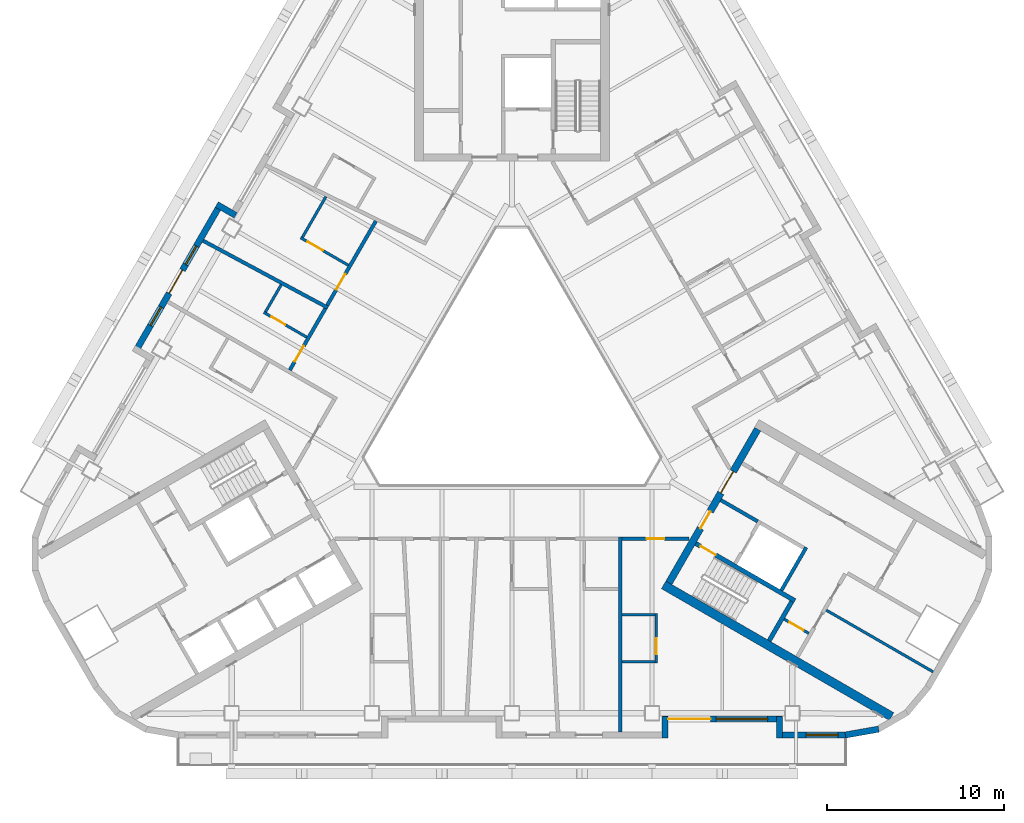
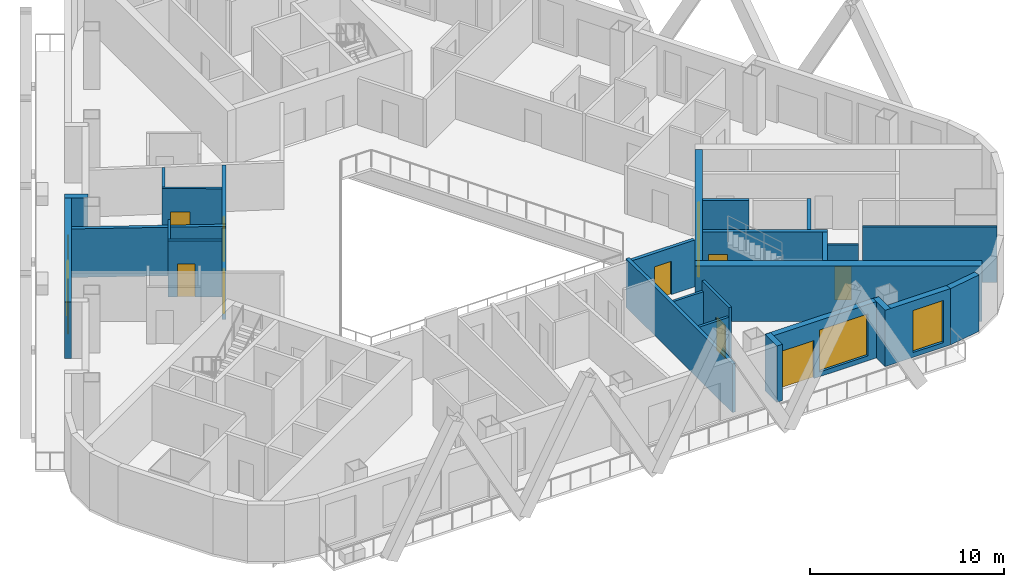
# One storey, part 7 of 17: 27 walls, 12 doors, 4 windows, 16 openings.
"""IFC4 building model written with IfcOpenShell, lengths in metres."""

from ifc_helpers import new_model, si_unit, direction, frame, frame_2d, origin, place, context, subcontext, project, spatial, rectangle, extrude, material, layer, layer_set, type_object, element, fill, save


model = new_model("IFC4")

# Units and contexts
model_context = context("Model", 3, precision=1e-05, world=origin(), true_north=direction((0.0, 1.0)))
body_context = subcontext(model_context, "Body", "Model", "MODEL_VIEW")
ifc_project = project(units=[si_unit("LENGTHUNIT", "METRE"), si_unit("AREAUNIT", "SQUARE_METRE"), si_unit("VOLUMEUNIT", "CUBIC_METRE"), si_unit("PLANEANGLEUNIT", "RADIAN"), si_unit("MASSUNIT", "GRAM", prefix="KILO")], contexts=[model_context])

# Site, building, storey
site_placement = place(None, origin())
site = spatial("IfcSite", under=ifc_project, at=site_placement, CompositionType="ELEMENT")
building_placement = place(site_placement, origin())
building = spatial("IfcBuilding", under=site, at=building_placement, Name="Apuvela Tower Hotel", CompositionType="ELEMENT")
storey_placement = place(building_placement, frame((0.0, 0.0, 146.60009765625)))
storey = spatial("IfcBuildingStorey", under=building, at=storey_placement, Name="L34", CompositionType="ELEMENT", Elevation=146.60009765625)

# Wall, openings, doors
ifc_material_1 = material(Name="Concrete C50/60", Category="concrete")
ifc_layer_1 = layer(ifc_material_1, 0.39990234375)
ifc_layer_set_1 = layer_set([ifc_layer_1], Name="COR-WALL-CORE-400")
wall_type_1 = type_object("IfcWallType", Name="COR-WALL-CORE-400", PredefinedType="SHEAR", material=ifc_layer_set_1)
wall_1_placement = place(storey_placement, frame((8.844970703125, -10.880126953125, 0.0), z_axis=(0.0, 0.0, 1.0), x_axis=(0.500004234368, 0.866022959057, 0.0)))
wall_1 = element("IfcWall", 1, at=wall_1_placement, inside=storey, type_object=wall_type_1, Name="Core wall SE", PredefinedType="SHEAR", context=body_context, shape_type="SweptSolid", body=[
    extrude(rectangle(XDim=10.0, YDim=0.39990234375, at=frame_2d((5.0, 0.0))), origin(), (0.0, 0.0, 1.0), 3.5),
])
opening_1_placement = place(wall_1_placement, frame((3.550048828125, 0.0, 0.0)))
opening_1 = element("IfcOpeningElement", 2, at=opening_1_placement, cuts=wall_1, Name="Opening E-FD", PredefinedType="OPENING", context=body_context, shape_type="SweptSolid", body=[
    extrude(rectangle(XDim=1.10009765625, YDim=2.10009765625, at=frame_2d((0.550048828125, 1.050048828125))), frame((0.0, 0.2099609375, 0.0), z_axis=(0.0, -1.0, 0.0), x_axis=(1.0, 0.0, 0.0)), (0.0, 0.0, 1.0), 0.419921875),
])
opening_2_placement = place(wall_1_placement, frame((5.85009765625, 0.0, 0.0)))
opening_2 = element("IfcOpeningElement", 3, at=opening_2_placement, cuts=wall_1, Name="Opening E-GD", PredefinedType="OPENING", context=body_context, shape_type="SweptSolid", body=[
    extrude(rectangle(XDim=1.39990234375, YDim=2.10009765625, at=frame_2d((0.699951171875, 1.050048828125))), frame((0.0, 0.2099609375, 0.0), z_axis=(0.0, -1.0, 0.0), x_axis=(1.0, 0.0, 0.0)), (0.0, 0.0, 1.0), 0.419921875),
])
ifc_material_2 = material(Name="Steel fire door, powder coated", Category="steel")
door_type_1 = type_object("IfcDoorType", Name="COR-FD-1100", OperationType="NOTDEFINED", PredefinedType="DOOR", material=ifc_material_2)
door_1_placement = place(opening_1_placement, frame((1.10009765625, 0.0, 0.0), z_axis=(0.0, 0.0, 1.0), x_axis=(-1.0, 0.0, 0.0)))
door_1 = element("IfcDoor", 4, at=door_1_placement, inside=storey, type_object=door_type_1, Name="Firefighting lobby door E-FD", OperationType="SINGLE_SWING_LEFT", OverallHeight=2.10009765625, OverallWidth=1.10009765625, PredefinedType="DOOR", context=body_context, shape_type="SweptSolid", body=[
    extrude(rectangle(XDim=1.10009765625, YDim=2.10009765625, at=frame_2d((0.550048828125, 1.050048828125))), frame((0.0, 0.02490234375, 0.0), z_axis=(0.0, -1.0, 0.0), x_axis=(1.0, 0.0, 0.0)), (0.0, 0.0, 1.0), 0.050048828125),
])
fill(opening_1, door_1)
ifc_material_3 = material(Name="Glazed steel fire door", Category="steel")
door_type_2 = type_object("IfcDoorType", Name="COR-GD-1400", OperationType="DOUBLE_DOOR_SINGLE_SWING", PredefinedType="DOOR", material=ifc_material_3)
door_2_placement = place(opening_2_placement, frame((1.39990234375, 0.0, 0.0), z_axis=(0.0, 0.0, 1.0), x_axis=(-1.0, 0.0, 0.0)))
door_2 = element("IfcDoor", 5, at=door_2_placement, inside=storey, type_object=door_type_2, Name="Lift lobby door E-GD", OperationType="DOUBLE_DOOR_SINGLE_SWING", OverallHeight=2.10009765625, OverallWidth=1.39990234375, PredefinedType="DOOR", context=body_context, shape_type="SweptSolid", body=[
    extrude(rectangle(XDim=1.39990234375, YDim=2.10009765625, at=frame_2d((0.699951171875, 1.050048828125))), frame((0.0, 0.02490234375, 0.0), z_axis=(0.0, -1.0, 0.0), x_axis=(1.0, 0.0, 0.0)), (0.0, 0.0, 1.0), 0.050048828125),
])
fill(opening_2, door_2)

# Wall
ifc_layer_2 = layer(ifc_material_1, 0.5)
ifc_layer_set_2 = layer_set([ifc_layer_2], Name="COR-WALL-CORE-500")
wall_type_2 = type_object("IfcWallType", Name="COR-WALL-CORE-500", PredefinedType="SHEAR", material=ifc_layer_set_2)
wall_2_placement = place(storey_placement, frame((8.546630859375, -10.99658203125, 0.0), z_axis=(0.0, 0.0, 1.0), x_axis=(0.866025009528, -0.500000682871, 0.0)))
element("IfcWall", 6, at=wall_2_placement, inside=storey, type_object=wall_type_2, Name="Core wall SE", PredefinedType="SHEAR", context=body_context, shape_type="SweptSolid", body=[
    extrude(rectangle(XDim=14.8369140625, YDim=0.5, at=frame_2d((7.41845703125, 0.0))), origin(), (0.0, 0.0, 1.0), 3.5),
])

# Wall, opening, door
ifc_material_4 = material(Name="Blockwork 150 mm plastered", Category="masonry")
ifc_layer_3 = layer(ifc_material_4, 0.14990234375)
ifc_layer_set_3 = layer_set([ifc_layer_3], Name="COR-WALL-PART-150")
wall_type_3 = type_object("IfcWallType", Name="COR-WALL-PART-150", PredefinedType="PARTITIONING", material=ifc_layer_set_3)
wall_3_placement = place(storey_placement, frame((15.341552734375, -12.927734375, 0.0), z_axis=(0.0, 0.0, 1.0), x_axis=(0.865989903783, -0.500061482766, 0.0)))
wall_3 = element("IfcWall", 7, at=wall_3_placement, inside=storey, type_object=wall_type_3, Name="Partition SE", PredefinedType="PARTITIONING", context=body_context, shape_type="SweptSolid", body=[
    extrude(rectangle(XDim=1.599853515625, YDim=0.14990234375, at=frame_2d((0.7998046875, 0.0))), origin(), (0.0, 0.0, 1.0), 3.5),
])
opening_3_placement = place(wall_3_placement, frame((0.35009765625, 0.0, 0.0)))
opening_3 = element("IfcOpeningElement", 8, at=opening_3_placement, cuts=wall_3, Name="Opening E-RD", PredefinedType="OPENING", context=body_context, shape_type="SweptSolid", body=[
    extrude(rectangle(XDim=0.89990234375, YDim=2.10009765625, at=frame_2d((0.449951171875, 1.050048828125))), frame((0.0, 0.0849609375, 0.0), z_axis=(0.0, -1.0, 0.0), x_axis=(1.0, 0.0, 0.0)), (0.0, 0.0, 1.0), 0.169921875),
])
ifc_material_5 = material(Name="Steel access door, powder coated", Category="steel")
door_type_3 = type_object("IfcDoorType", Name="COR-RD-900", OperationType="NOTDEFINED", PredefinedType="DOOR", material=ifc_material_5)
door_3_placement = place(opening_3_placement, frame((0.89990234375, 0.0, 0.0), z_axis=(0.0, 0.0, 1.0), x_axis=(-1.0, 0.0, 0.0)))
door_3 = element("IfcDoor", 9, at=door_3_placement, inside=storey, type_object=door_type_3, Name="Riser door E-RD", OperationType="SINGLE_SWING_LEFT", OverallHeight=2.10009765625, OverallWidth=0.89990234375, PredefinedType="DOOR", context=body_context, shape_type="SweptSolid", body=[
    extrude(rectangle(XDim=0.89990234375, YDim=2.10009765625, at=frame_2d((0.449951171875, 1.050048828125))), frame((0.0, 0.02490234375, 0.0), z_axis=(0.0, -1.0, 0.0), x_axis=(1.0, 0.0, 0.0)), (0.0, 0.0, 1.0), 0.050048828125),
])
fill(opening_3, door_3)

# Walls
wall_4_placement = place(storey_placement, frame((17.712890625, -12.42041015625, 0.0), z_axis=(0.0, 0.0, 1.0), x_axis=(0.866016523273, -0.500015381182, 0.0)))
element("IfcWall", 10, at=wall_4_placement, inside=storey, type_object=wall_type_3, Name="Partition SE", PredefinedType="PARTITIONING", context=body_context, shape_type="SweptSolid", body=[
    extrude(rectangle(XDim=6.949951171875, YDim=0.14990234375, at=frame_2d((3.47509765625, 0.0))), origin(), (0.0, 0.0, 1.0), 3.5),
])
ifc_layer_4 = layer(ifc_material_1, 0.199951171875)
ifc_layer_set_4 = layer_set([ifc_layer_4], Name="COR-WALL-SHAFT-200")
wall_type_4 = type_object("IfcWallType", Name="COR-WALL-SHAFT-200", PredefinedType="SHEAR", material=ifc_layer_set_4)
wall_5_placement = place(storey_placement, frame((15.181396484375, -11.305419921875, 0.0), z_axis=(0.0, 0.0, 1.0), x_axis=(0.49994636267, 0.866056369097, 0.0)))
element("IfcWall", 11, at=wall_5_placement, inside=storey, type_object=wall_type_4, Name="Shaft wall SE", PredefinedType="SHEAR", context=body_context, shape_type="SweptSolid", body=[
    extrude(rectangle(XDim=2.800048828125, YDim=0.199951171875, at=frame_2d((1.39990234375, 0.0))), origin(), (0.0, 0.0, 1.0), 3.5),
])
wall_6_placement = place(storey_placement, frame((11.76806640625, -6.217041015625, 0.0), z_axis=(0.0, 0.0, 1.0), x_axis=(0.866050077142, -0.499957262057, 0.0)))
element("IfcWall", 12, at=wall_6_placement, inside=storey, type_object=wall_type_4, Name="Shaft wall SE", PredefinedType="SHEAR", context=body_context, shape_type="SweptSolid", body=[
    extrude(rectangle(XDim=2.400146484375, YDim=0.199951171875, at=frame_2d((1.2001953125, 0.0))), origin(), (0.0, 0.0, 1.0), 3.5),
])

# Wall, opening, door
ifc_layer_5 = layer(ifc_material_1, 0.25)
ifc_layer_set_5 = layer_set([ifc_layer_5], Name="COR-WALL-STAIR-250")
wall_type_5 = type_object("IfcWallType", Name="COR-WALL-STAIR-250", PredefinedType="SHEAR", material=ifc_layer_set_5)
wall_7_placement = place(storey_placement, frame((10.355712890625, -8.66357421875, 0.0), z_axis=(0.0, 0.0, 1.0), x_axis=(0.866028629588, -0.499994412703, 0.0)))
wall_7 = element("IfcWall", 13, at=wall_7_placement, inside=storey, type_object=wall_type_5, Name="Stair wall SE", PredefinedType="SHEAR", context=body_context, shape_type="SweptSolid", body=[
    extrude(rectangle(XDim=6.44970703125, YDim=0.25, at=frame_2d((3.224853515625, 0.0))), origin(), (0.0, 0.0, 1.0), 3.5),
])
opening_4_placement = place(wall_7_placement, frame((0.300048828125, 0.0, 0.0)))
opening_4 = element("IfcOpeningElement", 14, at=opening_4_placement, cuts=wall_7, Name="Opening E-SD", PredefinedType="OPENING", context=body_context, shape_type="SweptSolid", body=[
    extrude(rectangle(XDim=1.0, YDim=2.10009765625, at=frame_2d((0.5, 1.050048828125))), frame((0.0, 0.135009765625, 0.0), z_axis=(0.0, -1.0, 0.0), x_axis=(1.0, 0.0, 0.0)), (0.0, 0.0, 1.0), 0.27001953125),
])
door_type_4 = type_object("IfcDoorType", Name="COR-SD-1000", OperationType="NOTDEFINED", PredefinedType="DOOR", material=ifc_material_2)
door_4_placement = place(opening_4_placement, frame((1.0, 0.0, 0.0), z_axis=(0.0, 0.0, 1.0), x_axis=(-1.0, 0.0, 0.0)))
door_4 = element("IfcDoor", 15, at=door_4_placement, inside=storey, type_object=door_type_4, Name="Stair door E-SD", OperationType="SINGLE_SWING_LEFT", OverallHeight=2.10009765625, OverallWidth=1.0, PredefinedType="DOOR", context=body_context, shape_type="SweptSolid", body=[
    extrude(rectangle(XDim=1.0, YDim=2.10009765625, at=frame_2d((0.5, 1.050048828125))), frame((0.0, 0.02490234375, 0.0), z_axis=(0.0, -1.0, 0.0), x_axis=(1.0, 0.0, 0.0)), (0.0, 0.0, 1.0), 0.050048828125),
])
fill(opening_4, door_4)

# Walls
wall_8_placement = place(storey_placement, frame((14.49560546875, -14.142578125, 0.0), z_axis=(0.0, 0.0, 1.0), x_axis=(0.500062241894, 0.865989465428, 0.0)))
element("IfcWall", 16, at=wall_8_placement, inside=storey, type_object=wall_type_5, Name="Stair wall SE", PredefinedType="SHEAR", context=body_context, shape_type="SweptSolid", body=[
    extrude(rectangle(XDim=2.550048828125, YDim=0.25, at=frame_2d((1.27490234375, 0.0))), origin(), (0.0, 0.0, 1.0), 3.5),
])
ifc_material_6 = material(Name="Concrete C40/50, dark pigmented precast panel", Category="concrete")
ifc_layer_6 = layer(ifc_material_6, 0.35009765625)
ifc_layer_set_6 = layer_set([ifc_layer_6], Name="ENV-WALL-350")
wall_type_6 = type_object("IfcWallType", Name="ENV-WALL-350", PredefinedType="SOLIDWALL", material=ifc_layer_set_6)
wall_9_placement = place(storey_placement, frame((-15.580810546875, 9.8330078125, 0.0), z_axis=(0.0, 0.0, 1.0), x_axis=(-0.866055662726, 0.499947586314, 0.0)))
element("IfcWall", 17, at=wall_9_placement, inside=storey, type_object=wall_type_6, Name="External wall L34-04", PredefinedType="SOLIDWALL", context=body_context, shape_type="SweptSolid", body=[
    extrude(rectangle(XDim=1.220458984375, YDim=0.35009765625, at=frame_2d((0.6103515625, 0.0))), origin(), (0.0, 0.0, 1.0), 3.5498046875),
])

# Wall, openings, door, windows
wall_10_placement = place(storey_placement, frame((-16.3984375, 10.507080078125, 0.0), z_axis=(0.0, 0.0, 1.0), x_axis=(-0.499999142773, -0.866025898704, 0.0)))
wall_10 = element("IfcWall", 18, at=wall_10_placement, inside=storey, type_object=wall_type_6, Name="External wall L34-05", PredefinedType="SOLIDWALL", context=body_context, shape_type="SweptSolid", body=[
    extrude(rectangle(XDim=9.7001953125, YDim=0.35009765625, at=frame_2d((4.85009765625, 0.0))), origin(), (0.0, 0.0, 1.0), 3.5498046875),
])
opening_5_placement = place(wall_10_placement, frame((4.35009765625, 0.0, 0.0)))
opening_5 = element("IfcOpeningElement", 19, at=opening_5_placement, cuts=wall_10, Name="Opening BD15", PredefinedType="OPENING", context=body_context, shape_type="SweptSolid", body=[
    extrude(rectangle(XDim=1.5, YDim=2.39990234375, at=frame_2d((0.75, 1.199951171875))), frame((0.0, 0.18505859375, 0.0), z_axis=(0.0, -1.0, 0.0), x_axis=(1.0, 0.0, 0.0)), (0.0, 0.0, 1.0), 0.3701171875),
])
opening_6_placement = place(wall_10_placement, frame((2.77978515625, 0.0, 0.300048828125)))
opening_6 = element("IfcOpeningElement", 20, at=opening_6_placement, cuts=wall_10, Name="Opening WN12", PredefinedType="OPENING", context=body_context, shape_type="SweptSolid", body=[
    extrude(rectangle(XDim=1.199951171875, YDim=2.64990234375, at=frame_2d((0.60009765625, 1.324951171875))), frame((0.0, 0.18505859375, 0.0), z_axis=(0.0, -1.0, 0.0), x_axis=(1.0, 0.0, 0.0)), (0.0, 0.0, 1.0), 0.3701171875),
])
opening_7_placement = place(wall_10_placement, frame((6.750244140625, 0.0, 0.300048828125)))
opening_7 = element("IfcOpeningElement", 21, at=opening_7_placement, cuts=wall_10, Name="Opening WN12", PredefinedType="OPENING", context=body_context, shape_type="SweptSolid", body=[
    extrude(rectangle(XDim=1.199951171875, YDim=2.64990234375, at=frame_2d((0.60009765625, 1.324951171875))), frame((0.0, 0.18505859375, 0.0), z_axis=(0.0, -1.0, 0.0), x_axis=(1.0, 0.0, 0.0)), (0.0, 0.0, 1.0), 0.3701171875),
])
ifc_material_7 = material(Name="Aluminium 6063-T6, dark bronze anodised frame with dark tinted laminated glass", Category="aluminium")
door_type_5 = type_object("IfcDoorType", Name="ENV-DOOR-BALCONY-1500x2400", OperationType="SLIDING_TO_LEFT", PredefinedType="DOOR", material=ifc_material_7)
door_5_placement = place(opening_5_placement, frame((1.5, 0.0, 0.0), z_axis=(0.0, 0.0, 1.0), x_axis=(-1.0, 0.0, 0.0)))
door_5 = element("IfcDoor", 22, at=door_5_placement, inside=storey, type_object=door_type_5, Name="Balcony door BD15", OperationType="SLIDING_TO_LEFT", OverallHeight=2.39990234375, OverallWidth=1.5, PredefinedType="DOOR", context=body_context, shape_type="SweptSolid", body=[
    extrude(rectangle(XDim=1.5, YDim=2.39990234375, at=frame_2d((0.75, 1.199951171875))), frame((0.0, 0.02490234375, 0.0), z_axis=(0.0, -1.0, 0.0), x_axis=(1.0, 0.0, 0.0)), (0.0, 0.0, 1.0), 0.050048828125),
])
fill(opening_5, door_5)
ifc_material_8 = material(Name="Glass, dark tinted laminated insulated glazing unit", Category="glass")
window_type_1 = type_object("IfcWindowType", Name="ENV-WIN-1200x2650", PartitioningType="SINGLE_PANEL", PredefinedType="WINDOW", material=ifc_material_8)
window_1_placement = place(opening_6_placement, origin())
window_1 = element("IfcWindow", 23, at=window_1_placement, inside=storey, type_object=window_type_1, Name="Window WN12", OverallHeight=2.64990234375, OverallWidth=1.199951171875, PartitioningType="SINGLE_PANEL", PredefinedType="WINDOW", context=body_context, shape_type="SweptSolid", body=[
    extrude(rectangle(XDim=1.199951171875, YDim=2.64990234375, at=frame_2d((0.60009765625, 1.324951171875))), frame((0.0, 0.030029296875, 0.0), z_axis=(0.0, -1.0, 0.0), x_axis=(1.0, 0.0, 0.0)), (0.0, 0.0, 1.0), 0.06005859375),
])
fill(opening_6, window_1)
window_2_placement = place(opening_7_placement, origin())
window_2 = element("IfcWindow", 24, at=window_2_placement, inside=storey, type_object=window_type_1, Name="Window WN12", OverallHeight=2.64990234375, OverallWidth=1.199951171875, PartitioningType="SINGLE_PANEL", PredefinedType="WINDOW", context=body_context, shape_type="SweptSolid", body=[
    extrude(rectangle(XDim=1.199951171875, YDim=2.64990234375, at=frame_2d((0.60009765625, 1.324951171875))), frame((0.0, 0.030029296875, 0.0), z_axis=(0.0, -1.0, 0.0), x_axis=(1.0, 0.0, 0.0)), (0.0, 0.0, 1.0), 0.06005859375),
])
fill(opening_7, window_2)

# Wall
wall_11_placement = place(storey_placement, frame((8.625, -19.6298828125, 0.0), z_axis=(0.0, 0.0, 1.0), x_axis=(0.0, 1.0, 0.0)))
element("IfcWall", 25, at=wall_11_placement, inside=storey, type_object=wall_type_6, Name="External wall L34-22", PredefinedType="SOLIDWALL", context=body_context, shape_type="SweptSolid", body=[
    extrude(rectangle(XDim=1.219970703125, YDim=0.35009765625, at=frame_2d((0.60986328125, 0.0))), origin(), (0.0, 0.0, 1.0), 3.5498046875),
])

# Wall, openings, door, window
wall_12_placement = place(storey_placement, frame((8.47998046875, -18.554931640625, 0.0), z_axis=(0.0, 0.0, 1.0), x_axis=(1.0, 0.0, 0.0)))
wall_12 = element("IfcWall", 26, at=wall_12_placement, inside=storey, type_object=wall_type_6, Name="External wall L34-23", PredefinedType="SOLIDWALL", context=body_context, shape_type="SweptSolid", body=[
    extrude(rectangle(XDim=6.739990234375, YDim=0.35009765625, at=frame_2d((3.3701171875, 0.0))), origin(), (0.0, 0.0, 1.0), 3.5498046875),
])
opening_8_placement = place(wall_12_placement, frame((0.3203125, 0.0, 0.0)))
opening_8 = element("IfcOpeningElement", 27, at=opening_8_placement, cuts=wall_12, Name="Opening BD24", PredefinedType="OPENING", context=body_context, shape_type="SweptSolid", body=[
    extrude(rectangle(XDim=2.39990234375, YDim=2.39990234375, at=frame_2d((1.199951171875, 1.199951171875))), frame((0.0, 0.18505859375, 0.0), z_axis=(0.0, -1.0, 0.0), x_axis=(1.0, 0.0, 0.0)), (0.0, 0.0, 1.0), 0.3701171875),
])
opening_9_placement = place(wall_12_placement, frame((3.020263671875, 0.0, 0.300048828125)))
opening_9 = element("IfcOpeningElement", 28, at=opening_9_placement, cuts=wall_12, Name="Opening WN29", PredefinedType="OPENING", context=body_context, shape_type="SweptSolid", body=[
    extrude(rectangle(XDim=2.89990234375, YDim=2.64990234375, at=frame_2d((1.449951171875, 1.324951171875))), frame((0.0, 0.18505859375, 0.0), z_axis=(0.0, -1.0, 0.0), x_axis=(1.0, 0.0, 0.0)), (0.0, 0.0, 1.0), 0.3701171875),
])
door_type_6 = type_object("IfcDoorType", Name="ENV-DOOR-BALCONY-2400x2400", OperationType="SLIDING_TO_LEFT", PredefinedType="DOOR", material=ifc_material_7)
door_6_placement = place(opening_8_placement, frame((2.39990234375, 0.0, 0.0), z_axis=(0.0, 0.0, 1.0), x_axis=(-1.0, 0.0, 0.0)))
door_6 = element("IfcDoor", 29, at=door_6_placement, inside=storey, type_object=door_type_6, Name="Balcony door BD24", OperationType="SLIDING_TO_LEFT", OverallHeight=2.39990234375, OverallWidth=2.39990234375, PredefinedType="DOOR", context=body_context, shape_type="SweptSolid", body=[
    extrude(rectangle(XDim=2.39990234375, YDim=2.39990234375, at=frame_2d((1.199951171875, 1.199951171875))), frame((0.0, 0.02490234375, 0.0), z_axis=(0.0, -1.0, 0.0), x_axis=(1.0, 0.0, 0.0)), (0.0, 0.0, 1.0), 0.050048828125),
])
fill(opening_8, door_6)
window_type_2 = type_object("IfcWindowType", Name="ENV-WIN-2900x2650", PartitioningType="SINGLE_PANEL", PredefinedType="WINDOW", material=ifc_material_8)
window_3_placement = place(opening_9_placement, origin())
window_3 = element("IfcWindow", 30, at=window_3_placement, inside=storey, type_object=window_type_2, Name="Window WN29", OverallHeight=2.64990234375, OverallWidth=2.89990234375, PartitioningType="SINGLE_PANEL", PredefinedType="WINDOW", context=body_context, shape_type="SweptSolid", body=[
    extrude(rectangle(XDim=2.89990234375, YDim=2.64990234375, at=frame_2d((1.449951171875, 1.324951171875))), frame((0.0, 0.030029296875, 0.0), z_axis=(0.0, -1.0, 0.0), x_axis=(1.0, 0.0, 0.0)), (0.0, 0.0, 1.0), 0.06005859375),
])
fill(opening_9, window_3)

# Wall
wall_13_placement = place(storey_placement, frame((15.074951171875, -18.409912109375, 0.0), z_axis=(0.0, 0.0, 1.0), x_axis=(0.0, -1.0, 0.0)))
element("IfcWall", 31, at=wall_13_placement, inside=storey, type_object=wall_type_6, Name="External wall L34-24", PredefinedType="SOLIDWALL", context=body_context, shape_type="SweptSolid", body=[
    extrude(rectangle(XDim=1.219970703125, YDim=0.35009765625, at=frame_2d((0.60986328125, 0.0))), origin(), (0.0, 0.0, 1.0), 3.5498046875),
])

# Wall, opening, window
wall_14_placement = place(storey_placement, frame((14.89990234375, -19.455078125, 0.0), z_axis=(0.0, 0.0, 1.0), x_axis=(1.0, 0.0, 0.0)))
wall_14 = element("IfcWall", 32, at=wall_14_placement, inside=storey, type_object=wall_type_6, Name="External wall L34-25", PredefinedType="SOLIDWALL", context=body_context, shape_type="SweptSolid", body=[
    extrude(rectangle(XDim=3.916015625, YDim=0.35009765625, at=frame_2d((1.9580078125, 0.0))), origin(), (0.0, 0.0, 1.0), 3.5498046875),
])
opening_10_placement = place(wall_14_placement, frame((1.674560546875, 0.0, 0.300048828125)))
opening_10 = element("IfcOpeningElement", 33, at=opening_10_placement, cuts=wall_14, Name="Opening WN18", PredefinedType="OPENING", context=body_context, shape_type="SweptSolid", body=[
    extrude(rectangle(XDim=1.800048828125, YDim=2.64990234375, at=frame_2d((0.89990234375, 1.324951171875))), frame((0.0, 0.18505859375, 0.0), z_axis=(0.0, -1.0, 0.0), x_axis=(1.0, 0.0, 0.0)), (0.0, 0.0, 1.0), 0.3701171875),
])
window_type_3 = type_object("IfcWindowType", Name="ENV-WIN-1800x2650", PartitioningType="SINGLE_PANEL", PredefinedType="WINDOW", material=ifc_material_8)
window_4_placement = place(opening_10_placement, origin())
window_4 = element("IfcWindow", 34, at=window_4_placement, inside=storey, type_object=window_type_3, Name="Window WN18", OverallHeight=2.64990234375, OverallWidth=1.800048828125, PartitioningType="SINGLE_PANEL", PredefinedType="WINDOW", context=body_context, shape_type="SweptSolid", body=[
    extrude(rectangle(XDim=1.800048828125, YDim=2.64990234375, at=frame_2d((0.89990234375, 1.324951171875))), frame((0.0, 0.030029296875, 0.0), z_axis=(0.0, -1.0, 0.0), x_axis=(1.0, 0.0, 0.0)), (0.0, 0.0, 1.0), 0.06005859375),
])
fill(opening_10, window_4)

# Walls
wall_15_placement = place(storey_placement, frame((18.785400390625, -19.457763671875, 0.0), z_axis=(0.0, 0.0, 1.0), x_axis=(0.984798995425, 0.173697837091, 0.0)))
element("IfcWall", 35, at=wall_15_placement, inside=storey, type_object=wall_type_6, Name="External wall L34-26", PredefinedType="SOLIDWALL", context=body_context, shape_type="SweptSolid", body=[
    extrude(rectangle(XDim=1.91015625, YDim=0.35009765625, at=frame_2d((0.955078125, 0.0))), origin(), (0.0, 0.0, 1.0), 3.5498046875),
])
ifc_material_9 = material(Name="Gypsum board partition on twin steel stud", Category="steel")
ifc_layer_7 = layer(ifc_material_9, 0.199951171875)
ifc_layer_set_7 = layer_set([ifc_layer_7], Name="GST-PW1")
wall_type_7 = type_object("IfcWallType", Name="GST-PW1", PredefinedType="PARTITIONING", material=ifc_layer_set_7)
wall_16_placement = place(storey_placement, frame((6.10009765625, -19.280029296875, 0.0), z_axis=(0.0, 0.0, 1.0), x_axis=(0.0, 1.0, 0.0)))
element("IfcWall", 36, at=wall_16_placement, inside=storey, type_object=wall_type_7, Name="L34 partition 04", PredefinedType="PARTITIONING", context=body_context, shape_type="SweptSolid", body=[
    extrude(rectangle(XDim=10.97998046875, YDim=0.199951171875, at=frame_2d((5.489990234375, 0.0))), origin(), (0.0, 0.0, 1.0), 3.059814453125),
])
wall_17_placement = place(storey_placement, frame((-17.412109375, 8.401611328125, 0.0), z_axis=(0.0, 0.0, 1.0), x_axis=(0.880917469793, -0.473269913912, 0.0)))
element("IfcWall", 37, at=wall_17_placement, inside=storey, type_object=wall_type_7, Name="L34 partition 09", PredefinedType="PARTITIONING", context=body_context, shape_type="SweptSolid", body=[
    extrude(rectangle(XDim=7.98388671875, YDim=0.199951171875, at=frame_2d((3.991943359375, 0.0))), origin(), (0.0, 0.0, 1.0), 3.059814453125),
])

# Wall, opening, door
ifc_material_10 = material(Name="Gypsum board corridor wall on twin steel stud, acoustic", Category="steel")
ifc_layer_8 = layer(ifc_material_10, 0.199951171875)
ifc_layer_set_8 = layer_set([ifc_layer_8], Name="GST-PW2")
wall_type_8 = type_object("IfcWallType", Name="GST-PW2", PredefinedType="PARTITIONING", material=ifc_layer_set_8)
wall_18_placement = place(storey_placement, frame((9.98828125, -8.39990234375, 0.0), z_axis=(0.0, 0.0, 1.0), x_axis=(-1.0, 0.0, 0.0)))
wall_18 = element("IfcWall", 38, at=wall_18_placement, inside=storey, type_object=wall_type_8, Name="L34 partition 24", PredefinedType="PARTITIONING", context=body_context, shape_type="SweptSolid", body=[
    extrude(rectangle(XDim=3.788330078125, YDim=0.199951171875, at=frame_2d((1.89404296875, 0.0))), origin(), (0.0, 0.0, 1.0), 2.949951171875),
])
opening_11_placement = place(wall_18_placement, frame((1.39404296875, 0.0, 0.0)))
opening_11 = element("IfcOpeningElement", 39, at=opening_11_placement, cuts=wall_18, Name="Opening GD12-10", PredefinedType="OPENING", context=body_context, shape_type="SweptSolid", body=[
    extrude(rectangle(XDim=1.0, YDim=2.10009765625, at=frame_2d((0.5, 1.050048828125))), frame((0.0, 0.10986328125, 0.0), z_axis=(0.0, -1.0, 0.0), x_axis=(1.0, 0.0, 0.0)), (0.0, 0.0, 1.0), 0.219970703125),
])
ifc_material_11 = material(Name="Timber door leaf in steel frame", Category="steel")
door_type_7 = type_object("IfcDoorType", Name="GST-D1", OperationType="NOTDEFINED", PredefinedType="DOOR", material=ifc_material_11)
door_7_placement = place(opening_11_placement, origin())
door_7 = element("IfcDoor", 40, at=door_7_placement, inside=storey, type_object=door_type_7, Name="Door L34-10", OperationType="SINGLE_SWING_RIGHT", OverallHeight=2.10009765625, OverallWidth=1.0, PredefinedType="DOOR", context=body_context, shape_type="SweptSolid", body=[
    extrude(rectangle(XDim=1.0, YDim=2.10009765625, at=frame_2d((0.5, 1.050048828125))), frame((0.0, 0.02490234375, 0.0), z_axis=(0.0, -1.0, 0.0), x_axis=(1.0, 0.0, 0.0)), (0.0, 0.0, 1.0), 0.050048828125),
])
fill(opening_11, door_7)

wall_19_placement = place(storey_placement, frame((-10.4169921875, 4.757080078125, 0.0), z_axis=(0.0, 0.0, 1.0), x_axis=(0.50000105825, 0.866024792803, 0.0)))
wall_19 = element("IfcWall", 41, at=wall_19_placement, inside=storey, type_object=wall_type_8, Name="L34 partition 46", PredefinedType="PARTITIONING", context=body_context, shape_type="SweptSolid", body=[
    extrude(rectangle(XDim=5.48681640625, YDim=0.199951171875, at=frame_2d((2.743408203125, 0.0))), origin(), (0.0, 0.0, 1.0), 2.949951171875),
])
opening_12_placement = place(wall_19_placement, frame((1.02978515625, 0.0, 0.0)))
opening_12 = element("IfcOpeningElement", 42, at=opening_12_placement, cuts=wall_19, Name="Opening GD12-22", PredefinedType="OPENING", context=body_context, shape_type="SweptSolid", body=[
    extrude(rectangle(XDim=1.0, YDim=2.10009765625, at=frame_2d((0.5, 1.050048828125))), frame((0.0, 0.10986328125, 0.0), z_axis=(0.0, -1.0, 0.0), x_axis=(1.0, 0.0, 0.0)), (0.0, 0.0, 1.0), 0.219970703125),
])
door_8_placement = place(opening_12_placement, origin())
door_8 = element("IfcDoor", 43, at=door_8_placement, inside=storey, type_object=door_type_7, Name="Door L34-22", OperationType="SINGLE_SWING_LEFT", OverallHeight=2.10009765625, OverallWidth=1.0, PredefinedType="DOOR", context=body_context, shape_type="SweptSolid", body=[
    extrude(rectangle(XDim=1.0, YDim=2.10009765625, at=frame_2d((0.5, 1.050048828125))), frame((0.0, 0.02490234375, 0.0), z_axis=(0.0, -1.0, 0.0), x_axis=(1.0, 0.0, 0.0)), (0.0, 0.0, 1.0), 0.050048828125),
])
fill(opening_12, door_8)

wall_20_placement = place(storey_placement, frame((-12.522705078125, 1.110107421875, 0.0), z_axis=(0.0, 0.0, 1.0), x_axis=(0.500021015799, 0.866013269967, 0.0)))
wall_20 = element("IfcWall", 44, at=wall_20_placement, inside=storey, type_object=wall_type_8, Name="L34 partition 49", PredefinedType="PARTITIONING", context=body_context, shape_type="SweptSolid", body=[
    extrude(rectangle(XDim=4.010986328125, YDim=0.199951171875, at=frame_2d((2.00537109375, 0.0))), origin(), (0.0, 0.0, 1.0), 2.949951171875),
])
opening_13_placement = place(wall_20_placement, frame((0.55810546875, 0.0, 0.0)))
opening_13 = element("IfcOpeningElement", 45, at=opening_13_placement, cuts=wall_20, Name="Opening GD12-24", PredefinedType="OPENING", context=body_context, shape_type="SweptSolid", body=[
    extrude(rectangle(XDim=1.0, YDim=2.10009765625, at=frame_2d((0.5, 1.050048828125))), frame((0.0, 0.10986328125, 0.0), z_axis=(0.0, -1.0, 0.0), x_axis=(1.0, 0.0, 0.0)), (0.0, 0.0, 1.0), 0.219970703125),
])
door_9_placement = place(opening_13_placement, origin())
door_9 = element("IfcDoor", 46, at=door_9_placement, inside=storey, type_object=door_type_7, Name="Door L34-24", OperationType="SINGLE_SWING_LEFT", OverallHeight=2.10009765625, OverallWidth=1.0, PredefinedType="DOOR", context=body_context, shape_type="SweptSolid", body=[
    extrude(rectangle(XDim=1.0, YDim=2.10009765625, at=frame_2d((0.5, 1.050048828125))), frame((0.0, 0.02490234375, 0.0), z_axis=(0.0, -1.0, 0.0), x_axis=(1.0, 0.0, 0.0)), (0.0, 0.0, 1.0), 0.050048828125),
])
fill(opening_13, door_9)

ifc_material_12 = material(Name="Moisture-resistant gypsum board wet wall on steel stud", Category="steel")
ifc_layer_9 = layer(ifc_material_12, 0.14990234375)
ifc_layer_set_9 = layer_set([ifc_layer_9], Name="GST-PW3")
wall_type_9 = type_object("IfcWallType", Name="GST-PW3", PredefinedType="PARTITIONING", material=ifc_layer_set_9)
wall_21_placement = place(storey_placement, frame((8.125, -15.39990234375, 0.0), z_axis=(0.0, 0.0, 1.0), x_axis=(0.0, 1.0, 0.0)))
wall_21 = element("IfcWall", 47, at=wall_21_placement, inside=storey, type_object=wall_type_9, Name="L34 partition 25", PredefinedType="PARTITIONING", context=body_context, shape_type="SweptSolid", body=[
    extrude(rectangle(XDim=2.7998046875, YDim=0.14990234375, at=frame_2d((1.39990234375, 0.0))), origin(), (0.0, 0.0, 1.0), 3.5498046875),
])
opening_14_placement = place(wall_21_placement, frame((0.5, 0.0, 0.0)))
opening_14 = element("IfcOpeningElement", 48, at=opening_14_placement, cuts=wall_21, Name="Opening GD12-09", PredefinedType="OPENING", context=body_context, shape_type="SweptSolid", body=[
    extrude(rectangle(XDim=0.89990234375, YDim=2.10009765625, at=frame_2d((0.449951171875, 1.050048828125))), frame((0.0, 0.0849609375, 0.0), z_axis=(0.0, -1.0, 0.0), x_axis=(1.0, 0.0, 0.0)), (0.0, 0.0, 1.0), 0.169921875),
])
door_type_8 = type_object("IfcDoorType", Name="GST-D2", OperationType="NOTDEFINED", PredefinedType="DOOR", material=ifc_material_11)
door_10_placement = place(opening_14_placement, origin())
door_10 = element("IfcDoor", 49, at=door_10_placement, inside=storey, type_object=door_type_8, Name="Door L34-09", OperationType="SINGLE_SWING_LEFT", OverallHeight=2.10009765625, OverallWidth=0.89990234375, PredefinedType="DOOR", context=body_context, shape_type="SweptSolid", body=[
    extrude(rectangle(XDim=0.89990234375, YDim=2.10009765625, at=frame_2d((0.449951171875, 1.050048828125))), frame((0.0, 0.02490234375, 0.0), z_axis=(0.0, -1.0, 0.0), x_axis=(1.0, 0.0, 0.0)), (0.0, 0.0, 1.0), 0.050048828125),
])
fill(opening_14, door_10)

# Walls
for number, where, z_axis, x_axis, name in (
    (50, (6.199951171875, -15.324951171875, 0.0), (0.0, 0.0, 1.0), (1.0, 0.0, 0.0), "L34 partition 26"),
    (51, (6.199951171875, -12.675048828125, 0.0), (0.0, 0.0, 1.0), (1.0, 0.0, 0.0), "L34 partition 27"),
):
    element("IfcWall", number, at=place(storey_placement, frame(where, z_axis=z_axis, x_axis=x_axis)), inside=storey, type_object=wall_type_9, Name=name, PredefinedType="PARTITIONING", context=body_context, shape_type="SweptSolid", body=[
        extrude(rectangle(XDim=1.85009765625, YDim=0.14990234375, at=frame_2d((0.925048828125, 0.0))), origin(), (0.0, 0.0, 1.0), 2.949951171875),
    ])

# Wall, opening, door
wall_22_placement = place(storey_placement, frame((-11.910888671875, 8.569580078125, 0.0), z_axis=(0.0, 0.0, 1.0), x_axis=(0.86600983753, -0.500026960575, 0.0)))
wall_22 = element("IfcWall", 52, at=wall_22_placement, inside=storey, type_object=wall_type_9, Name="L34 partition 47", PredefinedType="PARTITIONING", context=body_context, shape_type="SweptSolid", body=[
    extrude(rectangle(XDim=3.099853515625, YDim=0.14990234375, at=frame_2d((1.5498046875, 0.0))), origin(), (0.0, 0.0, 1.0), 3.5498046875),
])
opening_15_placement = place(wall_22_placement, frame((0.449951171875, 0.0, 0.0)))
opening_15 = element("IfcOpeningElement", 53, at=opening_15_placement, cuts=wall_22, Name="Opening GD12-21", PredefinedType="OPENING", context=body_context, shape_type="SweptSolid", body=[
    extrude(rectangle(XDim=1.0, YDim=2.10009765625, at=frame_2d((0.5, 1.050048828125))), frame((0.0, 0.0849609375, 0.0), z_axis=(0.0, -1.0, 0.0), x_axis=(1.0, 0.0, 0.0)), (0.0, 0.0, 1.0), 0.169921875),
])
door_11_placement = place(opening_15_placement, origin())
door_11 = element("IfcDoor", 54, at=door_11_placement, inside=storey, type_object=door_type_7, Name="Door L34-21", OperationType="SINGLE_SWING_LEFT", OverallHeight=2.10009765625, OverallWidth=1.0, PredefinedType="DOOR", context=body_context, shape_type="SweptSolid", body=[
    extrude(rectangle(XDim=1.0, YDim=2.10009765625, at=frame_2d((0.5, 1.050048828125))), frame((0.0, 0.02490234375, 0.0), z_axis=(0.0, -1.0, 0.0), x_axis=(1.0, 0.0, 0.0)), (0.0, 0.0, 1.0), 0.050048828125),
])
fill(opening_15, door_11)

# Wall
wall_23_placement = place(storey_placement, frame((-10.48876953125, 10.883056640625, 0.0), z_axis=(0.0, 0.0, 1.0), x_axis=(-0.500018690203, -0.866014612722, 0.0)))
element("IfcWall", 55, at=wall_23_placement, inside=storey, type_object=wall_type_9, Name="L34 partition 48", PredefinedType="PARTITIONING", context=body_context, shape_type="SweptSolid", body=[
    extrude(rectangle(XDim=2.6396484375, YDim=0.14990234375, at=frame_2d((1.31982421875, 0.0))), origin(), (0.0, 0.0, 1.0), 2.949951171875),
])

# Wall, opening, door
wall_24_placement = place(storey_placement, frame((-13.99267578125, 4.364013671875, 0.0), z_axis=(0.0, 0.0, 1.0), x_axis=(0.866056369097, -0.49994636267, 0.0)))
wall_24 = element("IfcWall", 56, at=wall_24_placement, inside=storey, type_object=wall_type_9, Name="L34 partition 50", PredefinedType="PARTITIONING", context=body_context, shape_type="SweptSolid", body=[
    extrude(rectangle(XDim=2.800048828125, YDim=0.14990234375, at=frame_2d((1.39990234375, 0.0))), origin(), (0.0, 0.0, 1.0), 3.5498046875),
])
opening_16_placement = place(wall_24_placement, frame((0.5, 0.0, 0.0)))
opening_16 = element("IfcOpeningElement", 57, at=opening_16_placement, cuts=wall_24, Name="Opening GD12-23", PredefinedType="OPENING", context=body_context, shape_type="SweptSolid", body=[
    extrude(rectangle(XDim=0.89990234375, YDim=2.10009765625, at=frame_2d((0.449951171875, 1.050048828125))), frame((0.0, 0.0849609375, 0.0), z_axis=(0.0, -1.0, 0.0), x_axis=(1.0, 0.0, 0.0)), (0.0, 0.0, 1.0), 0.169921875),
])
door_12_placement = place(opening_16_placement, origin())
door_12 = element("IfcDoor", 58, at=door_12_placement, inside=storey, type_object=door_type_8, Name="Door L34-23", OperationType="SINGLE_SWING_LEFT", OverallHeight=2.10009765625, OverallWidth=0.89990234375, PredefinedType="DOOR", context=body_context, shape_type="SweptSolid", body=[
    extrude(rectangle(XDim=0.89990234375, YDim=2.10009765625, at=frame_2d((0.449951171875, 1.050048828125))), frame((0.0, 0.02490234375, 0.0), z_axis=(0.0, -1.0, 0.0), x_axis=(1.0, 0.0, 0.0)), (0.0, 0.0, 1.0), 0.050048828125),
])
fill(opening_16, door_12)

# Wall
wall_25_placement = place(storey_placement, frame((-13.0068359375, 5.92138671875, 0.0), z_axis=(0.0, 0.0, 1.0), x_axis=(-0.500033502416, -0.866006060292, 0.0)))
element("IfcWall", 59, at=wall_25_placement, inside=storey, type_object=wall_type_9, Name="L34 partition 51", PredefinedType="PARTITIONING", context=body_context, shape_type="SweptSolid", body=[
    extrude(rectangle(XDim=1.7666015625, YDim=0.14990234375, at=frame_2d((0.88330078125, 0.0))), origin(), (0.0, 0.0, 1.0), 3.5498046875),
])

save(model, "model.ifc")
